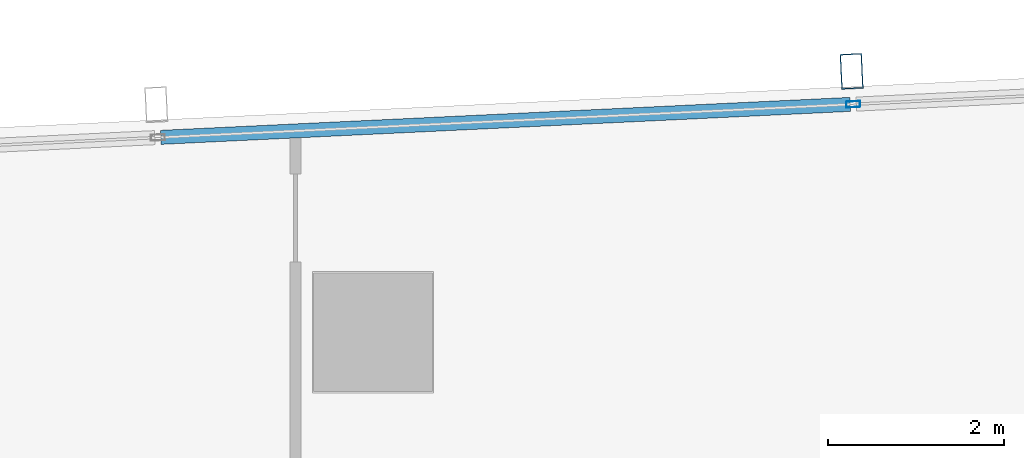
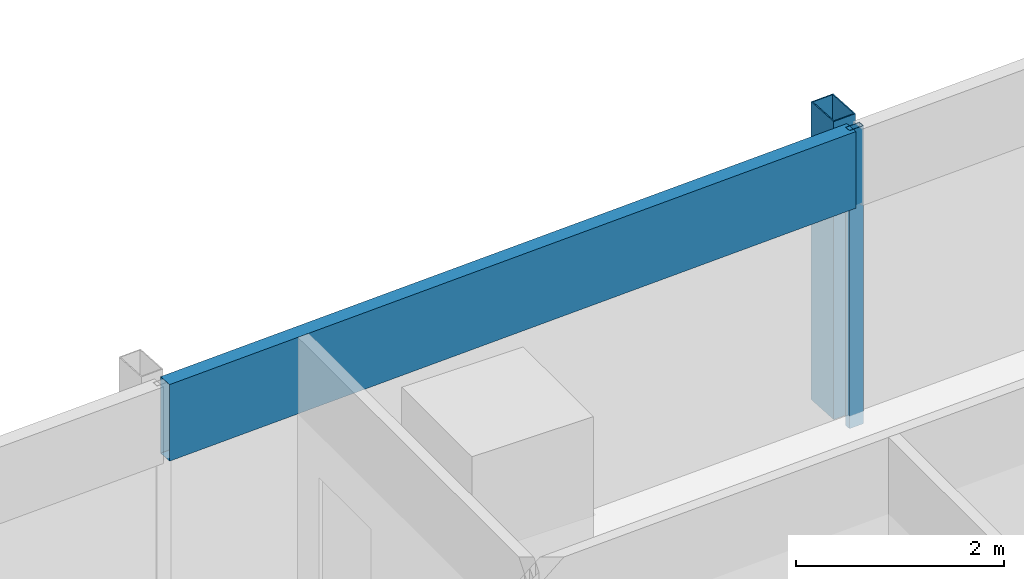
# One storey, part 19 of 39: 3 members, 1 element without a shape of its own.
"""IFC4 building model written with IfcOpenShell, lengths in metres."""

from ifc_helpers import new_model, si_unit, direction, frame, origin, origin_2d, place, context, subcontext, project, spatial, hollow_rectangle, extrude, material, material_profile, profile_set, type_object, element, aggregate, save


model = new_model("IFC4")

# Units and contexts
model_context = context("Model", 3, precision=1e-05, world=origin(), true_north=direction((0.0, 1.0)))
body_context = subcontext(model_context, "Body", "Model", "MODEL_VIEW")
ifc_project = project(units=[si_unit("LENGTHUNIT", "METRE"), si_unit("AREAUNIT", "SQUARE_METRE"), si_unit("VOLUMEUNIT", "CUBIC_METRE"), si_unit("PLANEANGLEUNIT", "RADIAN"), si_unit("MASSUNIT", "GRAM", prefix="KILO")], contexts=[model_context])

# Site, building, storey
site_placement = place(None, origin())
site = spatial("IfcSite", under=ifc_project, at=site_placement, CompositionType="ELEMENT")
building_placement = place(site_placement, origin())
building = spatial("IfcBuilding", under=site, at=building_placement, Name="Rekha Terrace Tower", CompositionType="ELEMENT")
storey_placement = place(building_placement, frame((0.0, 0.0, 187.699951171875)))
storey = spatial("IfcBuildingStorey", under=building, at=storey_placement, Name="L47", CompositionType="ELEMENT", Elevation=187.699951171875)

# Curtain wall, members
ifc_material_1 = material(Name="Aluminium framing", Category="aluminium")
curtain_wall_type = type_object("IfcCurtainWallType", Name="CW3 north unitised glazing", PredefinedType="USERDEFINED", material=ifc_material_1)
curtain_wall_placement = place(storey_placement, origin())
curtain_wall = element("IfcCurtainWall", 1, at=curtain_wall_placement, inside=storey, type_object=curtain_wall_type, Name="CW3 unitised curtain wall", ObjectType="UNITISED CURTAIN WALL", PredefinedType="USERDEFINED")
ifc_material_2 = material(Name="Steel S355 with fluorocarbon finish", Category="steel")
ifc_material_profile_1 = material_profile(ifc_material_2, hollow_rectangle(XDim=0.25, YDim=0.39990234375, WallThickness=0.012451171875, at=origin_2d()), Name="RHS400x250x12.5")
ifc_profile_set_1 = profile_set([ifc_material_profile_1], Name="Steel S355 with fluorocarbon finish")
member_type_1 = type_object("IfcMemberType", Name="BL1 facade blade RHS 400 x 250", PredefinedType="USERDEFINED", material=ifc_profile_set_1)
member_1_placement = place(storey_placement, frame((30.643310546875, 61.767578125, 0.0), z_axis=(0.0, 0.0, 1.0), x_axis=(-0.998858913274, -0.04775846913, 0.0)))
member_1 = element("IfcMember", 2, at=member_1_placement, type_object=member_type_1, Name="Facade blade", ObjectType="FACADE BLADE", PredefinedType="USERDEFINED", context=body_context, shape_type="SweptSolid", body=[
    extrude(hollow_rectangle(XDim=0.25, YDim=0.39990234375, WallThickness=0.012451171875, at=origin_2d()), origin(), (0.0, 0.0, 1.0), 3.5),
])
ifc_material_3 = material(Name="Aluminium mullion section", Category="aluminium")
ifc_material_profile_2 = material_profile(ifc_material_3, hollow_rectangle(XDim=0.070068359375, YDim=0.159912109375, WallThickness=0.00390625, at=origin_2d()), Name="AL RHS 70x160")
ifc_profile_set_2 = profile_set([ifc_material_profile_2], Name="Aluminium mullion section")
member_type_2 = type_object("IfcMemberType", Name="CW3 mullion RHS 70 x 160", PredefinedType="MULLION", material=ifc_profile_set_2)
member_2_placement = place(storey_placement, frame((30.6611328125, 61.39306640625, 0.0), z_axis=(0.0, 0.0, 1.0), x_axis=(0.047758616983, -0.998858906204, 0.0)))
member_2 = element("IfcMember", 3, at=member_2_placement, type_object=member_type_2, Name="CW3 mullion 3", PredefinedType="MULLION", context=body_context, shape_type="SweptSolid", body=[
    extrude(hollow_rectangle(XDim=0.070068359375, YDim=0.159912109375, WallThickness=0.00390625, at=origin_2d()), origin(), (0.0, 0.0, 1.0), 3.5),
])
ifc_material_4 = material(Name="Insulated aluminium spandrel box", Category="aluminium")
ifc_material_profile_3 = material_profile(ifc_material_4, hollow_rectangle(XDim=0.159912109375, YDim=0.89990234375, WallThickness=0.0029296875, at=origin_2d()), Name="AL SPANDREL BOX 160x900")
ifc_profile_set_3 = profile_set([ifc_material_profile_3], Name="Insulated aluminium spandrel box")
member_type_3 = type_object("IfcMemberType", Name="CW3 spandrel transom 160 x 900", PredefinedType="USERDEFINED", material=ifc_profile_set_3)
member_3_placement = place(storey_placement, frame((30.626220703125, 61.391357421875, 3.050048828125), z_axis=(-0.998859323292, -0.047749892907, 0.0), x_axis=(0.047749892907, -0.998859323292, 0.0)))
member_3 = element("IfcMember", 4, at=member_3_placement, type_object=member_type_3, Name="CW3 spandrel transom 3", ObjectType="TRANSOM", PredefinedType="USERDEFINED", context=body_context, shape_type="SweptSolid", body=[
    extrude(hollow_rectangle(XDim=0.159912109375, YDim=0.89990234375, WallThickness=0.0029296875, at=origin_2d()), origin(), (0.0, 0.0, 1.0), 7.848388671875),
])
aggregate(curtain_wall, [member_2, member_3, member_1])

save(model, "model.ifc")
